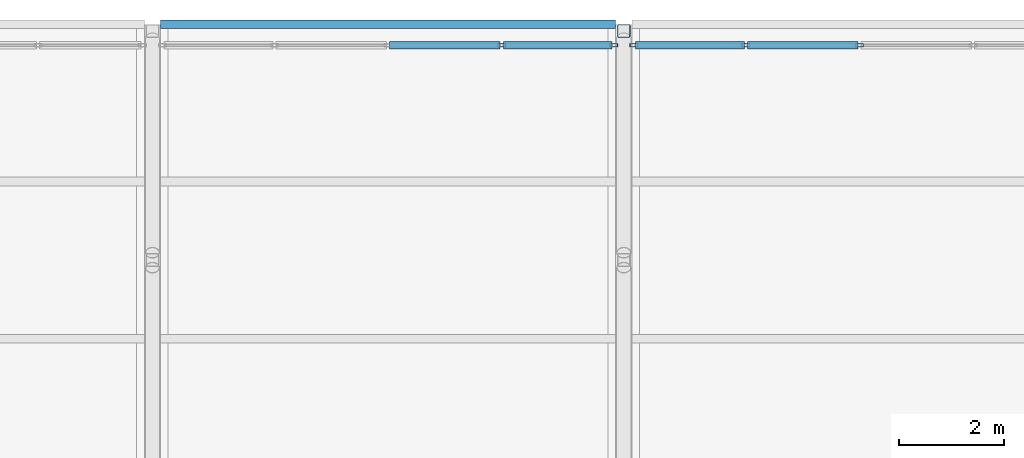
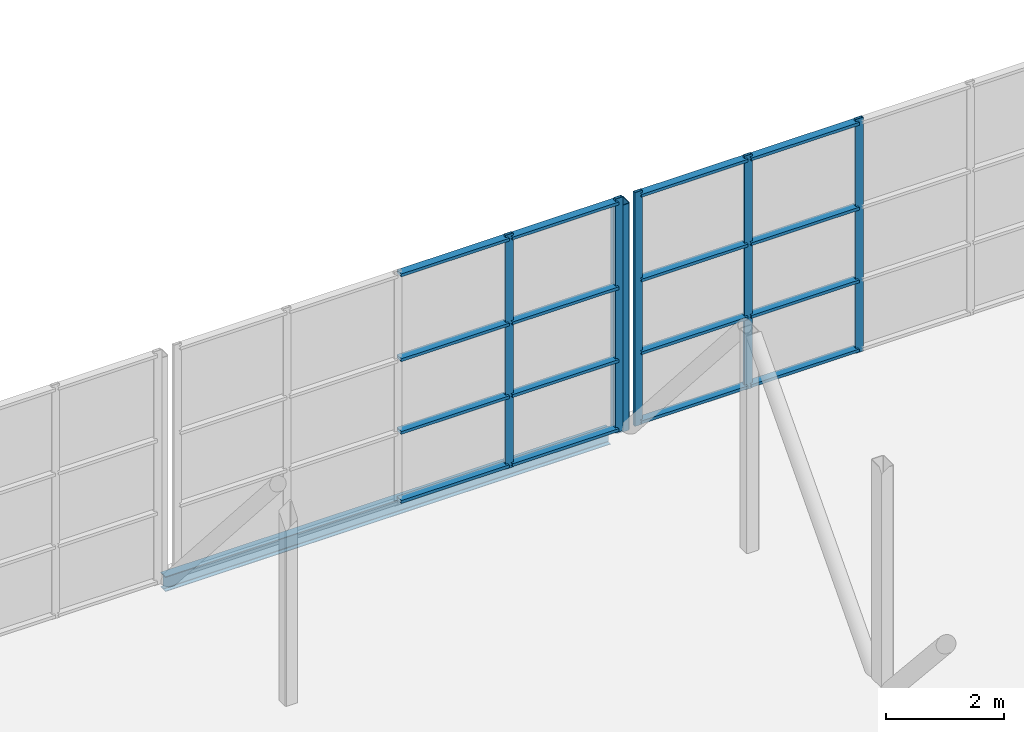
# One storey, part 64 of 94: 22 members, 1 beam, 2 elements without a shape of their own.
"""IFC4 building model written with IfcOpenShell, lengths in metres."""

from ifc_helpers import new_model, si_unit, direction, frame, origin, origin_2d, place, context, subcontext, project, spatial, hollow_rectangle, i_section, extrude, material, layer, layer_set, material_profile, profile_set, type_object, element, aggregate, save


model = new_model("IFC4")

# Units and contexts
model_context = context("Model", 3, precision=1e-05, world=origin(), true_north=direction((0.0, 1.0)))
body_context = subcontext(model_context, "Body", "Model", "MODEL_VIEW")
ifc_project = project(units=[si_unit("LENGTHUNIT", "METRE"), si_unit("AREAUNIT", "SQUARE_METRE"), si_unit("VOLUMEUNIT", "CUBIC_METRE"), si_unit("PLANEANGLEUNIT", "RADIAN"), si_unit("MASSUNIT", "GRAM", prefix="KILO")], contexts=[model_context])

# Site, building, storey
site_placement = place(None, origin())
site = spatial("IfcSite", under=ifc_project, at=site_placement, CompositionType="ELEMENT")
building_placement = place(site_placement, origin())
building = spatial("IfcBuilding", under=site, at=building_placement, Name="Shorebreak Coast Museum", CompositionType="ELEMENT")
storey_placement = place(building_placement, frame((0.0, 0.0, 31.0)))
storey = spatial("IfcBuildingStorey", under=building, at=storey_placement, Name="L05", CompositionType="ELEMENT", Elevation=31.0)

# Curtain wall, members
ifc_material_1 = material(Name="Aluminium", Category="aluminium")
ifc_layer = layer(ifc_material_1, 0.14990234375)
ifc_layer_set = layer_set([ifc_layer], Name="Aluminium")
curtain_wall_type = type_object("IfcCurtainWallType", Name="Barrel end glazing", PredefinedType="NOTDEFINED", material=ifc_layer_set)
curtain_wall_1_placement = place(storey_placement, origin())
curtain_wall_1 = element("IfcCurtainWall", 1, at=curtain_wall_1_placement, inside=storey, type_object=curtain_wall_type, Name="Barrel end glazing L05 2", PredefinedType="NOTDEFINED")
ifc_material_2 = material(Name="Aluminium", Category="aluminium")
ifc_material_profile_1 = material_profile(ifc_material_2, hollow_rectangle(XDim=0.06005859375, YDim=0.14990234375, WallThickness=0.00390625, at=origin_2d()), Name="AL 150x60 RHS")
ifc_profile_set_1 = profile_set([ifc_material_profile_1], Name="Aluminium")
member_type_1 = type_object("IfcMemberType", Name="Barrel mullion 60 x 150", PredefinedType="MULLION", material=ifc_profile_set_1)
member_1_placement = place(storey_placement, frame((69.6689453125, 134.60009765625, 0.0), z_axis=(0.0, 0.0, 1.0), x_axis=(0.0, 1.0, 0.0)))
member_1 = element("IfcMember", 2, at=member_1_placement, type_object=member_type_1, Name="CW7 mullion 4", PredefinedType="MULLION", context=body_context, shape_type="SweptSolid", body=[
    extrude(hollow_rectangle(XDim=0.06005859375, YDim=0.14990234375, WallThickness=0.00390625, at=origin_2d()), origin(), (0.0, 0.0, 1.0), 4.824951171875),
])
member_2_placement = place(storey_placement, frame((71.80810546875, 134.60009765625, 0.0), z_axis=(0.0, 0.0, 1.0), x_axis=(0.0, 1.0, 0.0)))
member_2 = element("IfcMember", 3, at=member_2_placement, type_object=member_type_1, Name="CW7 mullion 5", PredefinedType="MULLION", context=body_context, shape_type="SweptSolid", body=[
    extrude(hollow_rectangle(XDim=0.06005859375, YDim=0.14990234375, WallThickness=0.00390625, at=origin_2d()), origin(), (0.0, 0.0, 1.0), 4.824951171875),
])

curtain_wall_2_placement = place(storey_placement, origin())
curtain_wall_2 = element("IfcCurtainWall", 4, at=curtain_wall_2_placement, inside=storey, type_object=curtain_wall_type, Name="Barrel end glazing L05 3", PredefinedType="NOTDEFINED")
member_3_placement = place(storey_placement, frame((72.19189453125, 134.60009765625, 0.0), z_axis=(0.0, 0.0, 1.0), x_axis=(0.0, 1.0, 0.0)))
member_3 = element("IfcMember", 5, at=member_3_placement, type_object=member_type_1, Name="CW7 mullion 1", PredefinedType="MULLION", context=body_context, shape_type="SweptSolid", body=[
    extrude(hollow_rectangle(XDim=0.06005859375, YDim=0.14990234375, WallThickness=0.00390625, at=origin_2d()), origin(), (0.0, 0.0, 1.0), 4.824951171875),
])
member_4_placement = place(storey_placement, frame((74.3310546875, 134.60009765625, 0.0), z_axis=(0.0, 0.0, 1.0), x_axis=(0.0, 1.0, 0.0)))
member_4 = element("IfcMember", 6, at=member_4_placement, type_object=member_type_1, Name="CW7 mullion 2", PredefinedType="MULLION", context=body_context, shape_type="SweptSolid", body=[
    extrude(hollow_rectangle(XDim=0.06005859375, YDim=0.14990234375, WallThickness=0.00390625, at=origin_2d()), origin(), (0.0, 0.0, 1.0), 4.824951171875),
])
member_5_placement = place(storey_placement, frame((76.5, 134.60009765625, 0.0), z_axis=(0.0, 0.0, 1.0), x_axis=(0.0, 1.0, 0.0)))
member_5 = element("IfcMember", 7, at=member_5_placement, type_object=member_type_1, Name="CW7 mullion 3", PredefinedType="MULLION", context=body_context, shape_type="SweptSolid", body=[
    extrude(hollow_rectangle(XDim=0.06005859375, YDim=0.14990234375, WallThickness=0.00390625, at=origin_2d()), origin(), (0.0, 0.0, 1.0), 4.824951171875),
])

# Member
ifc_material_3 = material(Name="Aluminium", Category="aluminium")
ifc_material_profile_2 = material_profile(ifc_material_3, hollow_rectangle(XDim=0.14990234375, YDim=0.06005859375, WallThickness=0.00390625, at=origin_2d()), Name="AL 60x150 RHS")
ifc_profile_set_2 = profile_set([ifc_material_profile_2], Name="Aluminium")
member_type_2 = type_object("IfcMemberType", Name="Barrel transom 150 x 60", PredefinedType="USERDEFINED", material=ifc_profile_set_2)
member_6_placement = place(storey_placement, frame((67.530029296875, 134.60009765625, 0.074951171875), z_axis=(1.0, 0.0, 0.0), x_axis=(0.0, 1.0, 0.0)))
member_6 = element("IfcMember", 8, at=member_6_placement, type_object=member_type_2, Name="CW7 transom 3.1", ObjectType="TRANSOM", PredefinedType="USERDEFINED", context=body_context, shape_type="SweptSolid", body=[
    extrude(hollow_rectangle(XDim=0.14990234375, YDim=0.06005859375, WallThickness=0.00390625, at=origin_2d()), origin(), (0.0, 0.0, 1.0), 2.10888671875),
])

member_7_placement = place(storey_placement, frame((67.530029296875, 134.60009765625, 1.5), z_axis=(1.0, 0.0, 0.0), x_axis=(0.0, 1.0, 0.0)))
member_7 = element("IfcMember", 9, at=member_7_placement, type_object=member_type_2, Name="CW7 transom 3.2", ObjectType="TRANSOM", PredefinedType="USERDEFINED", context=body_context, shape_type="SweptSolid", body=[
    extrude(hollow_rectangle(XDim=0.14990234375, YDim=0.06005859375, WallThickness=0.00390625, at=origin_2d()), origin(), (0.0, 0.0, 1.0), 2.10888671875),
])

member_8_placement = place(storey_placement, frame((67.530029296875, 134.60009765625, 3.0), z_axis=(1.0, 0.0, 0.0), x_axis=(0.0, 1.0, 0.0)))
member_8 = element("IfcMember", 10, at=member_8_placement, type_object=member_type_2, Name="CW7 transom 3.3", ObjectType="TRANSOM", PredefinedType="USERDEFINED", context=body_context, shape_type="SweptSolid", body=[
    extrude(hollow_rectangle(XDim=0.14990234375, YDim=0.06005859375, WallThickness=0.00390625, at=origin_2d()), origin(), (0.0, 0.0, 1.0), 2.10888671875),
])

member_9_placement = place(storey_placement, frame((67.530029296875, 134.60009765625, 4.75), z_axis=(1.0, 0.0, 0.0), x_axis=(0.0, 1.0, 0.0)))
member_9 = element("IfcMember", 11, at=member_9_placement, type_object=member_type_2, Name="CW7 transom 3.4", ObjectType="TRANSOM", PredefinedType="USERDEFINED", context=body_context, shape_type="SweptSolid", body=[
    extrude(hollow_rectangle(XDim=0.14990234375, YDim=0.06005859375, WallThickness=0.00390625, at=origin_2d()), origin(), (0.0, 0.0, 1.0), 2.10888671875),
])

member_10_placement = place(storey_placement, frame((69.698974609375, 134.60009765625, 0.074951171875), z_axis=(1.0, 0.0, 0.0), x_axis=(0.0, 1.0, 0.0)))
member_10 = element("IfcMember", 12, at=member_10_placement, type_object=member_type_2, Name="CW7 transom 4.1", ObjectType="TRANSOM", PredefinedType="USERDEFINED", context=body_context, shape_type="SweptSolid", body=[
    extrude(hollow_rectangle(XDim=0.14990234375, YDim=0.06005859375, WallThickness=0.00390625, at=origin_2d()), origin(), (0.0, 0.0, 1.0), 2.0791015625),
])

member_11_placement = place(storey_placement, frame((69.698974609375, 134.60009765625, 1.5), z_axis=(1.0, 0.0, 0.0), x_axis=(0.0, 1.0, 0.0)))
member_11 = element("IfcMember", 13, at=member_11_placement, type_object=member_type_2, Name="CW7 transom 4.2", ObjectType="TRANSOM", PredefinedType="USERDEFINED", context=body_context, shape_type="SweptSolid", body=[
    extrude(hollow_rectangle(XDim=0.14990234375, YDim=0.06005859375, WallThickness=0.00390625, at=origin_2d()), origin(), (0.0, 0.0, 1.0), 2.0791015625),
])

member_12_placement = place(storey_placement, frame((69.698974609375, 134.60009765625, 3.0), z_axis=(1.0, 0.0, 0.0), x_axis=(0.0, 1.0, 0.0)))
member_12 = element("IfcMember", 14, at=member_12_placement, type_object=member_type_2, Name="CW7 transom 4.3", ObjectType="TRANSOM", PredefinedType="USERDEFINED", context=body_context, shape_type="SweptSolid", body=[
    extrude(hollow_rectangle(XDim=0.14990234375, YDim=0.06005859375, WallThickness=0.00390625, at=origin_2d()), origin(), (0.0, 0.0, 1.0), 2.0791015625),
])

member_13_placement = place(storey_placement, frame((69.698974609375, 134.60009765625, 4.75), z_axis=(1.0, 0.0, 0.0), x_axis=(0.0, 1.0, 0.0)))
member_13 = element("IfcMember", 15, at=member_13_placement, type_object=member_type_2, Name="CW7 transom 4.4", ObjectType="TRANSOM", PredefinedType="USERDEFINED", context=body_context, shape_type="SweptSolid", body=[
    extrude(hollow_rectangle(XDim=0.14990234375, YDim=0.06005859375, WallThickness=0.00390625, at=origin_2d()), origin(), (0.0, 0.0, 1.0), 2.0791015625),
])

aggregate(curtain_wall_1, [member_1, member_2, member_6, member_7, member_8, member_9, member_10, member_11, member_12, member_13])

member_14_placement = place(storey_placement, frame((72.221923828125, 134.60009765625, 0.074951171875), z_axis=(1.0, 0.0, 0.0), x_axis=(0.0, 1.0, 0.0)))
member_14 = element("IfcMember", 16, at=member_14_placement, type_object=member_type_2, Name="CW7 transom 1.1", ObjectType="TRANSOM", PredefinedType="USERDEFINED", context=body_context, shape_type="SweptSolid", body=[
    extrude(hollow_rectangle(XDim=0.14990234375, YDim=0.06005859375, WallThickness=0.00390625, at=origin_2d()), origin(), (0.0, 0.0, 1.0), 2.0791015625),
])

member_15_placement = place(storey_placement, frame((72.221923828125, 134.60009765625, 1.5), z_axis=(1.0, 0.0, 0.0), x_axis=(0.0, 1.0, 0.0)))
member_15 = element("IfcMember", 17, at=member_15_placement, type_object=member_type_2, Name="CW7 transom 1.2", ObjectType="TRANSOM", PredefinedType="USERDEFINED", context=body_context, shape_type="SweptSolid", body=[
    extrude(hollow_rectangle(XDim=0.14990234375, YDim=0.06005859375, WallThickness=0.00390625, at=origin_2d()), origin(), (0.0, 0.0, 1.0), 2.0791015625),
])

member_16_placement = place(storey_placement, frame((72.221923828125, 134.60009765625, 3.0), z_axis=(1.0, 0.0, 0.0), x_axis=(0.0, 1.0, 0.0)))
member_16 = element("IfcMember", 18, at=member_16_placement, type_object=member_type_2, Name="CW7 transom 1.3", ObjectType="TRANSOM", PredefinedType="USERDEFINED", context=body_context, shape_type="SweptSolid", body=[
    extrude(hollow_rectangle(XDim=0.14990234375, YDim=0.06005859375, WallThickness=0.00390625, at=origin_2d()), origin(), (0.0, 0.0, 1.0), 2.0791015625),
])

member_17_placement = place(storey_placement, frame((72.221923828125, 134.60009765625, 4.75), z_axis=(1.0, 0.0, 0.0), x_axis=(0.0, 1.0, 0.0)))
member_17 = element("IfcMember", 19, at=member_17_placement, type_object=member_type_2, Name="CW7 transom 1.4", ObjectType="TRANSOM", PredefinedType="USERDEFINED", context=body_context, shape_type="SweptSolid", body=[
    extrude(hollow_rectangle(XDim=0.14990234375, YDim=0.06005859375, WallThickness=0.00390625, at=origin_2d()), origin(), (0.0, 0.0, 1.0), 2.0791015625),
])

member_18_placement = place(storey_placement, frame((74.361083984375, 134.60009765625, 0.074951171875), z_axis=(1.0, 0.0, 0.0), x_axis=(0.0, 1.0, 0.0)))
member_18 = element("IfcMember", 20, at=member_18_placement, type_object=member_type_2, Name="CW7 transom 2.1", ObjectType="TRANSOM", PredefinedType="USERDEFINED", context=body_context, shape_type="SweptSolid", body=[
    extrude(hollow_rectangle(XDim=0.14990234375, YDim=0.06005859375, WallThickness=0.00390625, at=origin_2d()), origin(), (0.0, 0.0, 1.0), 2.10888671875),
])

member_19_placement = place(storey_placement, frame((74.361083984375, 134.60009765625, 1.5), z_axis=(1.0, 0.0, 0.0), x_axis=(0.0, 1.0, 0.0)))
member_19 = element("IfcMember", 21, at=member_19_placement, type_object=member_type_2, Name="CW7 transom 2.2", ObjectType="TRANSOM", PredefinedType="USERDEFINED", context=body_context, shape_type="SweptSolid", body=[
    extrude(hollow_rectangle(XDim=0.14990234375, YDim=0.06005859375, WallThickness=0.00390625, at=origin_2d()), origin(), (0.0, 0.0, 1.0), 2.10888671875),
])

member_20_placement = place(storey_placement, frame((74.361083984375, 134.60009765625, 3.0), z_axis=(1.0, 0.0, 0.0), x_axis=(0.0, 1.0, 0.0)))
member_20 = element("IfcMember", 22, at=member_20_placement, type_object=member_type_2, Name="CW7 transom 2.3", ObjectType="TRANSOM", PredefinedType="USERDEFINED", context=body_context, shape_type="SweptSolid", body=[
    extrude(hollow_rectangle(XDim=0.14990234375, YDim=0.06005859375, WallThickness=0.00390625, at=origin_2d()), origin(), (0.0, 0.0, 1.0), 2.10888671875),
])

member_21_placement = place(storey_placement, frame((74.361083984375, 134.60009765625, 4.75), z_axis=(1.0, 0.0, 0.0), x_axis=(0.0, 1.0, 0.0)))
member_21 = element("IfcMember", 23, at=member_21_placement, type_object=member_type_2, Name="CW7 transom 2.4", ObjectType="TRANSOM", PredefinedType="USERDEFINED", context=body_context, shape_type="SweptSolid", body=[
    extrude(hollow_rectangle(XDim=0.14990234375, YDim=0.06005859375, WallThickness=0.00390625, at=origin_2d()), origin(), (0.0, 0.0, 1.0), 2.10888671875),
])

aggregate(curtain_wall_2, [member_3, member_4, member_5, member_14, member_15, member_16, member_17, member_18, member_19, member_20, member_21])

# Beam
ifc_material_4 = material(Name="Steel Grade 300", Category="steel")
ifc_material_profile_3 = material_profile(ifc_material_4, i_section(OverallWidth=0.166015625, OverallDepth=0.30712890625, WebThickness=0.006591796875, FlangeThickness=0.01171875, FilletRadius=0.011474609375, at=origin_2d()), Name="310UB46.2")
ifc_profile_set_3 = profile_set([ifc_material_profile_3], Name="Steel Grade 300")
beam_type = type_object("IfcBeamType", Name="Floor girder east-west 310UB46.2", PredefinedType="BEAM", material=ifc_profile_set_3)
beam_placement = place(storey_placement, frame((63.155517578125, 135.0, -0.32861328125), z_axis=(1.0, 0.0, 0.0), x_axis=(0.0, 1.0, 0.0)))
element("IfcBeam", 24, at=beam_placement, inside=storey, type_object=beam_type, Name="Floor girder east-west L05 8S", PredefinedType="BEAM", context=body_context, shape_type="SweptSolid", body=[
    extrude(i_section(OverallWidth=0.166015625, OverallDepth=0.30712890625, WebThickness=0.006591796875, FlangeThickness=0.01171875, FilletRadius=0.011474609375, at=origin_2d()), origin(), (0.0, 0.0, 1.0), 8.68896484375),
])

# Member
ifc_material_5 = material(Name="Steel Grade C450L0", Category="steel")
ifc_material_profile_4 = material_profile(ifc_material_5, hollow_rectangle(XDim=0.25, YDim=0.25, WallThickness=0.012451171875, InnerFilletRadius=0.018798828125, OuterFilletRadius=0.03125, at=origin_2d()), Name="250x250x12.5 SHS")
ifc_profile_set_4 = profile_set([ifc_material_profile_4], Name="Steel Grade C450L0")
member_type_3 = type_object("IfcMemberType", Name="Transfer truss strut 250x250x12.5 SHS", PredefinedType="STRUT", material=ifc_profile_set_4)
member_22_placement = place(storey_placement, frame((72.0, 134.875, -0.175048828125), z_axis=(0.0, 0.0, 1.0), x_axis=(1.0, 0.0, 0.0)))
element("IfcMember", 25, at=member_22_placement, inside=storey, type_object=member_type_3, Name="Transfer truss TR3 strut V07", PredefinedType="STRUT", context=body_context, shape_type="SweptSolid", body=[
    extrude(hollow_rectangle(XDim=0.25, YDim=0.25, WallThickness=0.012451171875, InnerFilletRadius=0.018798828125, OuterFilletRadius=0.03125, at=origin_2d()), origin(), (0.0, 0.0, 1.0), 4.679443359375),
])

save(model, "model.ifc")
